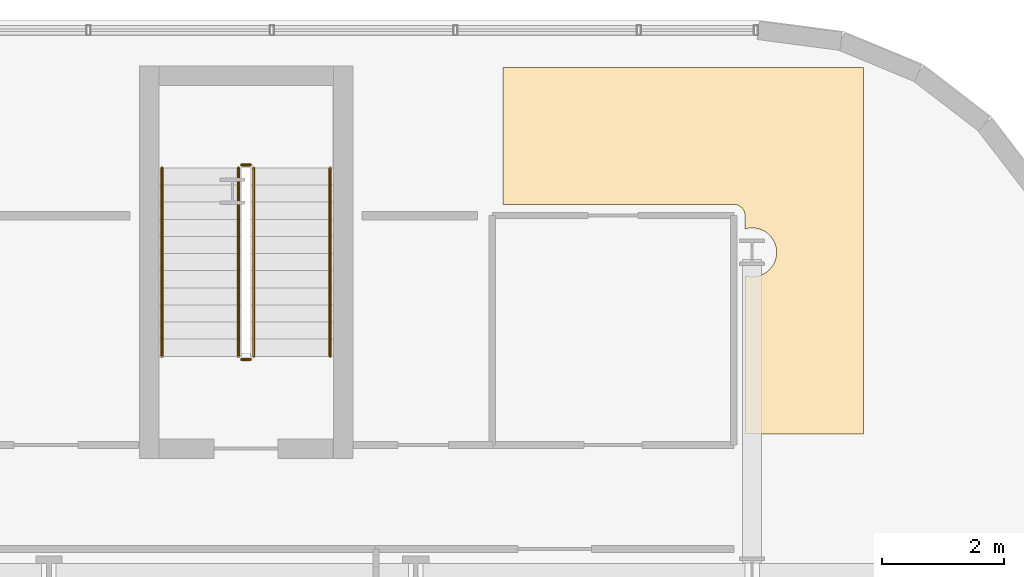
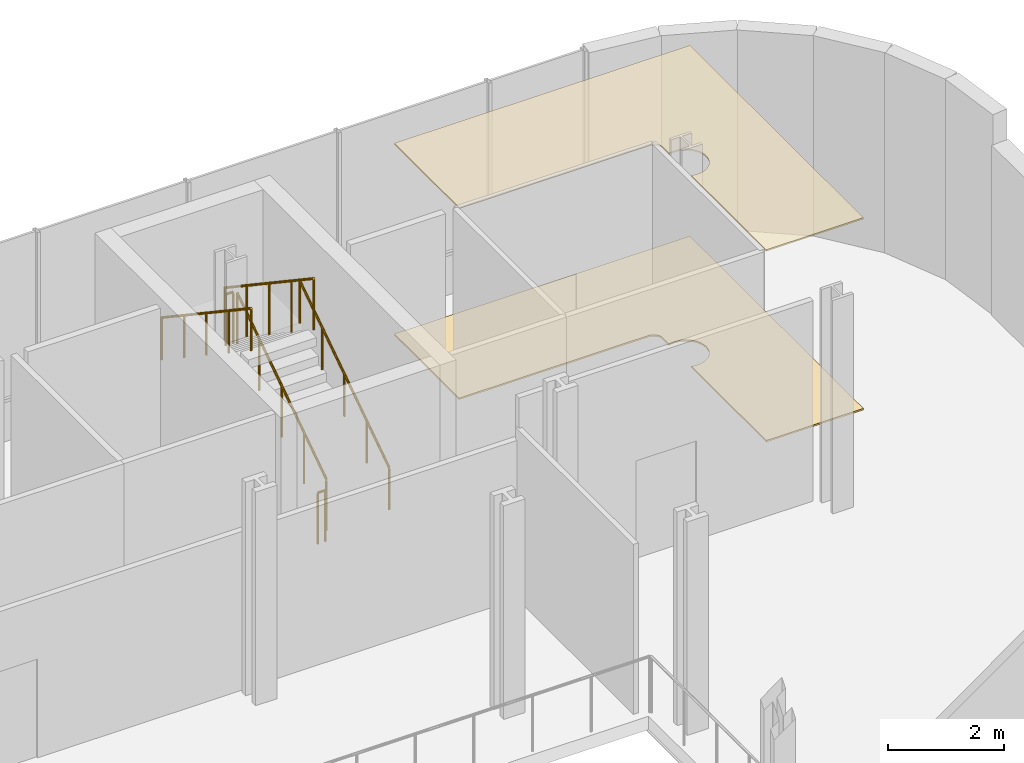
# One storey, part 25 of 25: 6 railings, 2 coverings.
"""IFC4 building model written with IfcOpenShell, lengths in metres."""

from ifc_helpers import new_model, si_unit, direction, frame, origin, origin_2d, place, context, subcontext, project, spatial, polyline, circle, outline, extrude, material, layer, layer_set, type_object, element, save


model = new_model("IFC4")

# Units and contexts
model_context = context("Model", 3, precision=1e-05, world=origin(), true_north=direction((0.0, 1.0)))
body_context = subcontext(model_context, "Body", "Model", "MODEL_VIEW")
ifc_project = project(units=[si_unit("LENGTHUNIT", "METRE"), si_unit("AREAUNIT", "SQUARE_METRE"), si_unit("VOLUMEUNIT", "CUBIC_METRE"), si_unit("PLANEANGLEUNIT", "RADIAN"), si_unit("MASSUNIT", "GRAM", prefix="KILO")], contexts=[model_context])

# Site, building, storey
site_placement = place(None, origin())
site = spatial("IfcSite", under=ifc_project, at=site_placement, CompositionType="ELEMENT")
building_placement = place(site_placement, origin())
building = spatial("IfcBuilding", under=site, at=building_placement, Name="Brevholm Reach", CompositionType="ELEMENT")
storey_placement = place(building_placement, frame((0.0, 0.0, 9.0)))
storey = spatial("IfcBuildingStorey", under=building, at=storey_placement, Name="L02", CompositionType="ELEMENT", Elevation=9.0)

# Coverings
ifc_material_1 = material(Name="Moisture-Resistant Skimmed Gypsum Plasterboard Ceiling", Category="gypsum")
ifc_layer_1 = layer(ifc_material_1, 0.030029296875)
ifc_layer_set_1 = layer_set([ifc_layer_1], Name="Moisture-Resistant Skimmed Gypsum Plasterboard Ceiling")
covering_type_1 = type_object("IfcCoveringType", Name="COV-CLG-GYP", PredefinedType="CEILING", material=ifc_layer_set_1)
covering_1_placement = place(storey_placement, frame((0.0, 0.0, 4.02001953125)))
element("IfcCovering", 1, at=covering_1_placement, inside=storey, type_object=covering_type_1, Name="L02 Suspended Ceiling L02-45", PredefinedType="CEILING", context=body_context, shape_type="SweptSolid", body=[
    extrude(outline(polyline([(61.429931640625, 39.219970703125), (67.320068359375, 39.219970703125), (67.320068359375, 33.22998046875), (65.3837890625, 33.22998046875), (65.3828125, 35.817626953125), (65.3837890625, 35.817138671875), (65.422119140625, 35.8076171875), (65.460693359375, 35.802001953125), (65.5, 35.800048828125), (65.539306640625, 35.802001953125), (65.577880859375, 35.8076171875), (65.6162109375, 35.817138671875), (65.653076171875, 35.830322265625), (65.688720703125, 35.84716796875), (65.72216796875, 35.867431640625), (65.75390625, 35.890869140625), (65.78271484375, 35.917236328125), (65.80908203125, 35.9462890625), (65.83251953125, 35.977783203125), (65.852783203125, 36.011474609375), (65.86962890625, 36.046875), (65.8828125, 36.083984375), (65.892333984375, 36.1220703125), (65.898193359375, 36.160888671875), (65.89990234375, 36.199951171875), (65.898193359375, 36.2392578125), (65.892333984375, 36.278076171875), (65.8828125, 36.316162109375), (65.86962890625, 36.35302734375), (65.852783203125, 36.388671875), (65.83251953125, 36.422119140625), (65.80908203125, 36.453857421875), (65.78271484375, 36.48291015625), (65.75390625, 36.50927734375), (65.72216796875, 36.53271484375), (65.688720703125, 36.552734375), (65.653076171875, 36.569580078125), (65.6162109375, 36.582763671875), (65.577880859375, 36.59228515625), (65.539306640625, 36.59814453125), (65.5, 36.60009765625), (65.460693359375, 36.59814453125), (65.422119140625, 36.59228515625), (65.3837890625, 36.582763671875), (65.38232421875, 36.582275390625), (65.382080078125, 36.803466796875), (65.38134765625, 36.821044921875), (65.378662109375, 36.83837890625), (65.37451171875, 36.855712890625), (65.368408203125, 36.872314453125), (65.36083984375, 36.88818359375), (65.351806640625, 36.9033203125), (65.34130859375, 36.91748046875), (65.32958984375, 36.9306640625), (65.31640625, 36.9423828125), (65.30224609375, 36.952880859375), (65.287109375, 36.9619140625), (65.27099609375, 36.969482421875), (65.25439453125, 36.9755859375), (65.2373046875, 36.979736328125), (65.219970703125, 36.982421875), (65.2021484375, 36.9833984375), (61.429931640625, 36.98388671875), (61.429931640625, 39.219970703125)])), origin(), (0.0, 0.0, 1.0), 0.030029296875),
])
ifc_material_2 = material(Name="Honed Portland-Aggregate Resin Terrazzo Flooring", Category="concrete")
ifc_layer_2 = layer(ifc_material_2, 0.031982421875)
ifc_layer_set_2 = layer_set([ifc_layer_2], Name="Honed Portland-Aggregate Resin Terrazzo Flooring")
covering_type_2 = type_object("IfcCoveringType", Name="COV-FLR-TRZ", PredefinedType="FLOORING", material=ifc_layer_set_2)
covering_2_placement = place(storey_placement, origin())
element("IfcCovering", 2, at=covering_2_placement, inside=storey, type_object=covering_type_2, Name="L02 Floor Finish L02-45", PredefinedType="FLOORING", context=body_context, shape_type="SweptSolid", body=[
    extrude(outline(polyline([(61.429931640625, 39.219970703125), (67.320068359375, 39.219970703125), (67.320068359375, 33.22998046875), (65.3837890625, 33.22998046875), (65.3828125, 35.817626953125), (65.3837890625, 35.817138671875), (65.422119140625, 35.8076171875), (65.460693359375, 35.802001953125), (65.5, 35.800048828125), (65.539306640625, 35.802001953125), (65.577880859375, 35.8076171875), (65.6162109375, 35.817138671875), (65.653076171875, 35.830322265625), (65.688720703125, 35.84716796875), (65.72216796875, 35.867431640625), (65.75390625, 35.890869140625), (65.78271484375, 35.917236328125), (65.80908203125, 35.9462890625), (65.83251953125, 35.977783203125), (65.852783203125, 36.011474609375), (65.86962890625, 36.046875), (65.8828125, 36.083984375), (65.892333984375, 36.1220703125), (65.898193359375, 36.160888671875), (65.89990234375, 36.199951171875), (65.898193359375, 36.2392578125), (65.892333984375, 36.278076171875), (65.8828125, 36.316162109375), (65.86962890625, 36.35302734375), (65.852783203125, 36.388671875), (65.83251953125, 36.422119140625), (65.80908203125, 36.453857421875), (65.78271484375, 36.48291015625), (65.75390625, 36.50927734375), (65.72216796875, 36.53271484375), (65.688720703125, 36.552734375), (65.653076171875, 36.569580078125), (65.6162109375, 36.582763671875), (65.577880859375, 36.59228515625), (65.539306640625, 36.59814453125), (65.5, 36.60009765625), (65.460693359375, 36.59814453125), (65.422119140625, 36.59228515625), (65.3837890625, 36.582763671875), (65.38232421875, 36.582275390625), (65.382080078125, 36.803466796875), (65.38134765625, 36.821044921875), (65.378662109375, 36.83837890625), (65.37451171875, 36.855712890625), (65.368408203125, 36.872314453125), (65.36083984375, 36.88818359375), (65.351806640625, 36.9033203125), (65.34130859375, 36.91748046875), (65.32958984375, 36.9306640625), (65.31640625, 36.9423828125), (65.30224609375, 36.952880859375), (65.287109375, 36.9619140625), (65.27099609375, 36.969482421875), (65.25439453125, 36.9755859375), (65.2373046875, 36.979736328125), (65.219970703125, 36.982421875), (65.2021484375, 36.9833984375), (61.429931640625, 36.98388671875), (61.429931640625, 39.219970703125)])), origin(), (0.0, 0.0, 1.0), 0.031982421875),
])

# Railings
ifc_material_3 = material(Name="Brushed Stainless Steel EN 1.4401 Continuous Handrail", Category="steel")
railing_type_1 = type_object("IfcRailingType", Name="RAL-HND-950", PredefinedType="HANDRAIL", material=ifc_material_3)
railing_1_placement = place(storey_placement, frame((58.60009765625, 34.5, 0.1875)))
element("IfcRailing", 3, at=railing_1_placement, inside=storey, type_object=railing_type_1, Name="L02 ST-S4 stair handrail 1", PredefinedType="HANDRAIL", context=body_context, shape_type="SweptSolid", body=[
    extrude(circle(Radius=0.02392578125, at=origin_2d()), frame((0.0, 0.0, 0.8857421875), z_axis=(0.0, 0.830913701846, 0.55640131208), x_axis=(-1.0, 0.0, 0.0)), (0.0, 0.0, 1.0), 3.706787109375),
    extrude(circle(Radius=0.02099609375, at=origin_2d()), origin(), (0.0, 0.0, 1.0), 0.86181640625),
    extrude(circle(Radius=0.02099609375, at=origin_2d()), frame((0.0, 0.77001953125, 0.515625)), (0.0, 0.0, 1.0), 0.86181640625),
    extrude(circle(Radius=0.02099609375, at=origin_2d()), frame((0.0, 1.5400390625, 1.03125)), (0.0, 0.0, 1.0), 0.86181640625),
    extrude(circle(Radius=0.02099609375, at=origin_2d()), frame((0.0, 2.31005859375, 1.546875)), (0.0, 0.0, 1.0), 0.86181640625),
    extrude(circle(Radius=0.02099609375, at=origin_2d()), frame((0.0, 3.080078125, 2.0625)), (0.0, 0.0, 1.0), 0.86181640625),
])
railing_2_placement = place(storey_placement, frame((55.85009765625, 37.580078125, 2.4375)))
element("IfcRailing", 4, at=railing_2_placement, inside=storey, type_object=railing_type_1, Name="L02 ST-S4 stair handrail 2", PredefinedType="HANDRAIL", context=body_context, shape_type="SweptSolid", body=[
    extrude(circle(Radius=0.02392578125, at=origin_2d()), frame((0.0, 0.0, 0.8857421875), z_axis=(0.0, -0.830913701846, 0.55640131208), x_axis=(1.0, 0.0, 0.0)), (0.0, 0.0, 1.0), 3.706787109375),
    extrude(circle(Radius=0.02099609375, at=origin_2d()), origin(), (0.0, 0.0, 1.0), 0.86181640625),
    extrude(circle(Radius=0.02099609375, at=origin_2d()), frame((0.0, -0.77001953125, 0.515625)), (0.0, 0.0, 1.0), 0.86181640625),
    extrude(circle(Radius=0.02099609375, at=origin_2d()), frame((0.0, -1.5400390625, 1.03125)), (0.0, 0.0, 1.0), 0.86181640625),
    extrude(circle(Radius=0.02099609375, at=origin_2d()), frame((0.0, -2.31005859375, 1.546875)), (0.0, 0.0, 1.0), 0.86181640625),
    extrude(circle(Radius=0.02099609375, at=origin_2d()), frame((0.0, -3.080078125, 2.0625)), (0.0, 0.0, 1.0), 0.86181640625),
])
ifc_material_4 = material(Name="Painted Tubular Galvanised Steel S275JR Stair Guard", Category="steel")
railing_type_2 = type_object("IfcRailingType", Name="RAL-STG-1120", PredefinedType="BALUSTRADE", material=ifc_material_4)
railing_3_placement = place(storey_placement, frame((57.35009765625, 34.5, 0.1875)))
element("IfcRailing", 5, at=railing_3_placement, inside=storey, type_object=railing_type_2, Name="L02 ST-S4 stair guard 1", PredefinedType="BALUSTRADE", context=body_context, shape_type="SweptSolid", body=[
    extrude(circle(Radius=0.02392578125, at=origin_2d()), frame((0.0, 0.0, 1.076171875), z_axis=(0.0, 0.830913701846, 0.55640131208), x_axis=(-1.0, 0.0, 0.0)), (0.0, 0.0, 1.0), 3.706787109375),
    extrude(circle(Radius=0.02099609375, at=origin_2d()), origin(), (0.0, 0.0, 1.0), 1.052001953125),
    extrude(circle(Radius=0.02099609375, at=origin_2d()), frame((0.0, 0.77001953125, 0.515625)), (0.0, 0.0, 1.0), 1.052001953125),
    extrude(circle(Radius=0.02099609375, at=origin_2d()), frame((0.0, 1.5400390625, 1.03125)), (0.0, 0.0, 1.0), 1.052001953125),
    extrude(circle(Radius=0.02099609375, at=origin_2d()), frame((0.0, 2.31005859375, 1.546875)), (0.0, 0.0, 1.0), 1.052001953125),
    extrude(circle(Radius=0.02099609375, at=origin_2d()), frame((0.0, 3.080078125, 2.0625)), (0.0, 0.0, 1.0), 1.052001953125),
])
railing_4_placement = place(storey_placement, frame((57.300048828125, 37.6298828125, 2.25)))
element("IfcRailing", 6, at=railing_4_placement, inside=storey, type_object=railing_type_2, Name="L02 ST-S4 stair guard 2", PredefinedType="BALUSTRADE", context=body_context, shape_type="SweptSolid", body=[
    extrude(circle(Radius=0.02392578125, at=origin_2d()), frame((0.0, 0.0, 1.076171875), z_axis=(-1.0, 0.0, 0.0), x_axis=(0.0, -1.0, 0.0)), (0.0, 0.0, 1.0), 0.150146484375),
    extrude(circle(Radius=0.02099609375, at=origin_2d()), origin(), (0.0, 0.0, 1.0), 1.052001953125),
    extrude(circle(Radius=0.02099609375, at=origin_2d()), frame((-0.150146484375, 0.0, 0.0)), (0.0, 0.0, 1.0), 1.052001953125),
])
railing_5_placement = place(storey_placement, frame((57.10009765625, 37.580078125, 2.4375)))
element("IfcRailing", 7, at=railing_5_placement, inside=storey, type_object=railing_type_2, Name="L02 ST-S4 stair guard 3", PredefinedType="BALUSTRADE", context=body_context, shape_type="SweptSolid", body=[
    extrude(circle(Radius=0.02392578125, at=origin_2d()), frame((0.0, 0.0, 1.076171875), z_axis=(0.0, -0.830913701846, 0.55640131208), x_axis=(1.0, 0.0, 0.0)), (0.0, 0.0, 1.0), 3.706787109375),
    extrude(circle(Radius=0.02099609375, at=origin_2d()), origin(), (0.0, 0.0, 1.0), 1.052001953125),
    extrude(circle(Radius=0.02099609375, at=origin_2d()), frame((0.0, -0.77001953125, 0.515625)), (0.0, 0.0, 1.0), 1.052001953125),
    extrude(circle(Radius=0.02099609375, at=origin_2d()), frame((0.0, -1.5400390625, 1.03125)), (0.0, 0.0, 1.0), 1.052001953125),
    extrude(circle(Radius=0.02099609375, at=origin_2d()), frame((0.0, -2.31005859375, 1.546875)), (0.0, 0.0, 1.0), 1.052001953125),
    extrude(circle(Radius=0.02099609375, at=origin_2d()), frame((0.0, -3.080078125, 2.0625)), (0.0, 0.0, 1.0), 1.052001953125),
])
railing_6_placement = place(storey_placement, frame((57.300048828125, 34.449951171875, 0.0)))
element("IfcRailing", 8, at=railing_6_placement, inside=storey, type_object=railing_type_2, Name="L02 ST-S4 stair guard 4", PredefinedType="BALUSTRADE", context=body_context, shape_type="SweptSolid", body=[
    extrude(circle(Radius=0.02392578125, at=origin_2d()), frame((0.0, 0.0, 1.076171875), z_axis=(-1.0, 0.0, 0.0), x_axis=(0.0, -1.0, 0.0)), (0.0, 0.0, 1.0), 0.150146484375),
    extrude(circle(Radius=0.02099609375, at=origin_2d()), origin(), (0.0, 0.0, 1.0), 1.052001953125),
    extrude(circle(Radius=0.02099609375, at=origin_2d()), frame((-0.150146484375, 0.0, 0.0)), (0.0, 0.0, 1.0), 1.052001953125),
])

save(model, "model.ifc")
